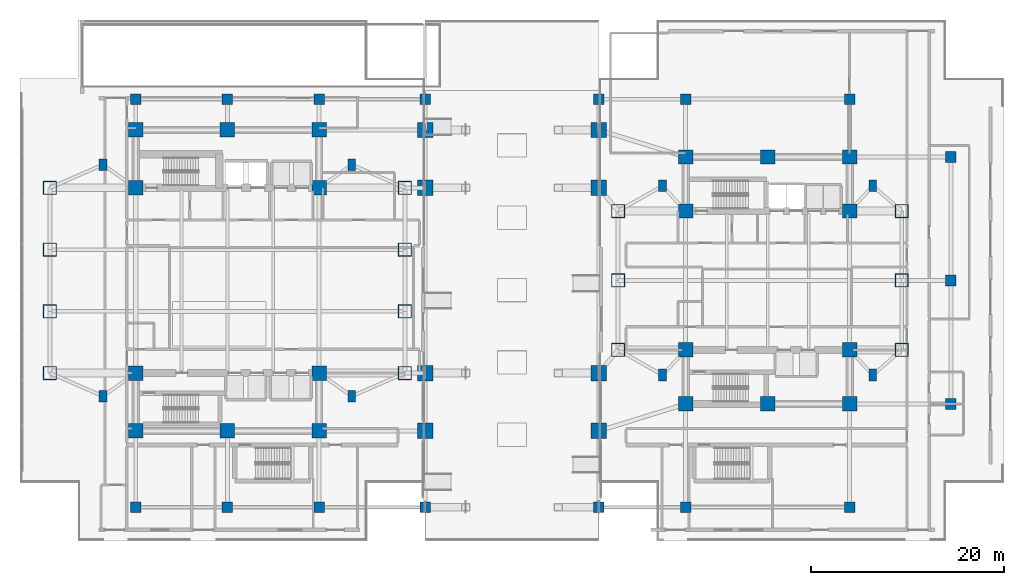
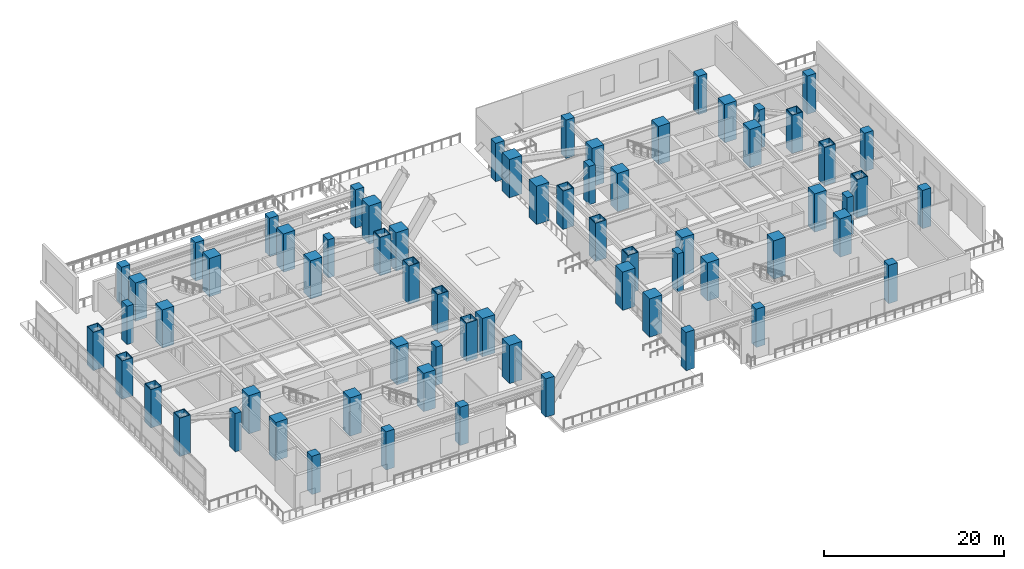
# One storey, part 1 of 27: 67 columns.
"""IFC4 building model written with IfcOpenShell, lengths in metres."""

import ifcopenshell
import ifcopenshell.guid

model = None  # the IFC model being written
_history = None  # IfcOwnerHistory: only IFC2X3 demands one
_inside = {}  # id of a spatial element -> (the spatial element, [elements in it])
_under = {}  # id of a project, library or spatial element -> (it, [spatial elements below it])
_declared = {}  # id of a project -> (the project, [libraries it declares])
_typed = {}  # id of a type object -> (the type object, [elements of that type])
_made_of = {}  # id of a material, layer set ... -> (it, [elements and type objects made of it])


def new_model(schema):
    """Start an empty IFC model of exactly this schema.

    Asked for "IFC4X3", IfcOpenShell would pick the latest addendum, in which some entities
    have other attributes; the version numbers below select the first issue.
    IFC2X3 requires an IfcOwnerHistory on every rooted entity: one is made here for all.
    """
    global model, _history
    if schema == "IFC4X3":
        model = ifcopenshell.file(schema_version=(4, 3, 0, 0))
    else:
        model = ifcopenshell.file(schema=schema)
    _inside.clear()
    _under.clear()
    _declared.clear()
    _typed.clear()
    _made_of.clear()
    _history = None
    if model.schema == "IFC2X3":
        org = make("IfcOrganization", Name="unknown")
        user = make(
            "IfcPersonAndOrganization",
            ThePerson=make("IfcPerson", FamilyName="unknown"),
            TheOrganization=org,
        )
        app = make(
            "IfcApplication",
            ApplicationDeveloper=org,
            Version="unknown",
            ApplicationFullName="unknown",
            ApplicationIdentifier="unknown",
        )
        _history = make(
            "IfcOwnerHistory",
            OwningUser=user,
            OwningApplication=app,
            ChangeAction="ADDED",
            CreationDate=0,
        )
    return model


def make(cls, **values):
    """One entity of the class cls with the attributes given. An attribute that is None is left unset."""
    return model.create_entity(
        cls, **{name: value for name, value in values.items() if value is not None}
    )


def rooted(cls, **values):
    """An entity with a GlobalId (a new one), such as an element, a storey or a relation."""
    return make(cls, GlobalId=ifcopenshell.guid.new(), OwnerHistory=_history, **values)


def si_unit(unit_type, name, prefix=None):
    """IfcSIUnit, for example si_unit("LENGTHUNIT", "METRE", prefix="MILLI")."""
    return make("IfcSIUnit", UnitType=unit_type, Prefix=prefix, Name=name)


def assignment(units):
    """IfcUnitAssignment: the units of a project."""
    return None if units is None else make("IfcUnitAssignment", Units=units)


def point(xyz):
    """IfcCartesianPoint."""
    return None if xyz is None else make("IfcCartesianPoint", Coordinates=xyz)


def direction(xyz):
    """IfcDirection."""
    return None if xyz is None else make("IfcDirection", DirectionRatios=xyz)


def frame(location, z_axis=None, x_axis=None):
    """IfcAxis2Placement3D, a coordinate frame: its origin and axes. An axis left out is left unset."""
    return make(
        "IfcAxis2Placement3D",
        Location=point(location),
        Axis=direction(z_axis),
        RefDirection=direction(x_axis),
    )


def frame_2d(location, x_axis=None):
    """IfcAxis2Placement2D, a coordinate frame in the plane: its origin and x axis."""
    return make(
        "IfcAxis2Placement2D", Location=point(location), RefDirection=direction(x_axis)
    )


def origin():
    """The frame at (0, 0, 0) with its axes left unset."""
    return frame((0.0, 0.0, 0.0))


def origin_2d():
    """The frame at (0, 0) in the plane with its x axis left unset."""
    return frame_2d((0.0, 0.0))


def place(relative_to, where):
    """IfcLocalPlacement: puts the frame where relative to a parent placement (None: the world)."""
    return make(
        "IfcLocalPlacement", PlacementRelTo=relative_to, RelativePlacement=where
    )


def context(
    kind, dimensions, precision=None, world=None, true_north=None, identifier=None
):
    """IfcGeometricRepresentationContext, for example the 3D "Model" context."""
    return make(
        "IfcGeometricRepresentationContext",
        ContextIdentifier=identifier,
        ContextType=kind,
        CoordinateSpaceDimension=dimensions,
        Precision=precision,
        WorldCoordinateSystem=world,
        TrueNorth=true_north,
    )


def subcontext(parent, identifier, kind, view, scale=None):
    """IfcGeometricRepresentationSubContext, for example "Body" below "Model"."""
    return make(
        "IfcGeometricRepresentationSubContext",
        ContextIdentifier=identifier,
        ContextType=kind,
        ParentContext=parent,
        TargetScale=scale,
        TargetView=view,
    )


def project(units=None, contexts=None):
    """IfcProject with its units and contexts."""
    return rooted(
        "IfcProject",
        Name="project",
        RepresentationContexts=contexts,
        UnitsInContext=assignment(units),
    )


def spatial(cls, under=None, at=None, **own):
    """A site, building, storey or space (cls), placed at a placement, below another one or the project."""
    s = rooted(cls, ObjectPlacement=at, **own)
    if under is not None:
        _under.setdefault(under.id(), (under, []))[1].append(s)
    return s


def profile(cls, at=None, kind="AREA", **sizes):
    """A parametric profile (cls). Its sizes go by their IFC names, for example OverallWidth=200.0."""
    return make(cls, ProfileType=kind, Position=at, **sizes)


def rectangle(**sizes):
    """IfcRectangleProfileDef."""
    return profile("IfcRectangleProfileDef", **sizes)


def hollow_rectangle(**sizes):
    """IfcRectangleHollowProfileDef."""
    return profile("IfcRectangleHollowProfileDef", **sizes)


def extrude(swept, where, along, depth):
    """IfcExtrudedAreaSolid: the profile swept, set in the frame where, extruded along a direction by depth."""
    return make(
        "IfcExtrudedAreaSolid",
        SweptArea=swept,
        Position=where,
        ExtrudedDirection=direction(along),
        Depth=depth,
    )


def shape(context_of_items, identifier, shape_type, items):
    """IfcShapeRepresentation: the items that make up one representation, for example the "Body"."""
    return make(
        "IfcShapeRepresentation",
        ContextOfItems=context_of_items,
        RepresentationIdentifier=identifier,
        RepresentationType=shape_type,
        Items=items,
    )


def material(Name=None, Category=None):
    """IfcMaterial."""
    return make("IfcMaterial", Name=Name, Category=Category)


def material_profile(
    of_material, cross_section, Name=None, Category=None, Priority=None
):
    """IfcMaterialProfile: a cross section and its material."""
    return make(
        "IfcMaterialProfile",
        Name=Name,
        Material=of_material,
        Profile=cross_section,
        Priority=Priority,
        Category=Category,
    )


def profile_set(profiles, Name=None, composite=None):
    """IfcMaterialProfileSet."""
    return make(
        "IfcMaterialProfileSet",
        Name=Name,
        MaterialProfiles=profiles,
        CompositeProfile=composite,
    )


def made_of(thing, what):
    """Note that an element or type object is made of a material, layer set ...; save() writes the relation."""
    if what is not None:
        _made_of.setdefault(what.id(), (what, []))[1].append(thing)
    return thing


def type_object(cls, material=None, **own):
    """A type object (cls), such as IfcWallType, which elements share."""
    return made_of(rooted(cls, **own), material)


def element(
    cls,
    number,
    at=None,
    inside=None,
    cuts=None,
    type_object=None,
    material=None,
    context=None,
    identifier="Body",
    shape_type=None,
    held_by="IfcProductDefinitionShape",
    body=None,
    shapes=None,
    **own,
):
    """One element of the class cls, such as IfcWall. Its Tag is "e" and its number.

    at: its placement. inside: the storey or other place that contains it. cuts: it is an
    opening in that element (IfcRelVoidsElement). A single representation is given by context,
    identifier, shape_type and body (its items); several are given by shapes. held_by: the class
    of the entity that holds the representations. save() writes the other relations.
    """
    e = rooted(cls, Tag="e%d" % number, ObjectPlacement=at, **own)
    if body is not None:
        shapes = [shape(context, identifier, shape_type, body)]
    if shapes is not None:
        e.Representation = make(held_by, Representations=shapes)
    if inside is not None:
        _inside.setdefault(inside.id(), (inside, []))[1].append(e)
    if cuts is not None:
        rooted(
            "IfcRelVoidsElement", RelatingBuildingElement=cuts, RelatedOpeningElement=e
        )
    if type_object is not None:
        _typed.setdefault(type_object.id(), (type_object, []))[1].append(e)
    return made_of(e, material)


def aggregate(whole, parts):
    """IfcRelAggregates: a whole, such as a stair, and the parts it consists of."""
    return rooted("IfcRelAggregates", RelatingObject=whole, RelatedObjects=parts)


def save(model, path):
    """Write the relations noted so far, then the file.

    IfcRelAggregates (storeys below a building ...), IfcRelContainedInSpatialStructure (elements
    in a storey), IfcRelDefinesByType, IfcRelAssociatesMaterial and IfcRelDeclares: one each for
    every whole, place, type object, material and project.
    """
    for whole, parts in _under.values():
        aggregate(whole, parts)
    for where, things in _inside.values():
        rooted(
            "IfcRelContainedInSpatialStructure",
            RelatedElements=things,
            RelatingStructure=where,
        )
    for kind, things in _typed.values():
        rooted("IfcRelDefinesByType", RelatedObjects=things, RelatingType=kind)
    for what, things in _made_of.values():
        rooted("IfcRelAssociatesMaterial", RelatedObjects=things, RelatingMaterial=what)
    for by, libraries in _declared.values():
        rooted("IfcRelDeclares", RelatingContext=by, RelatedDefinitions=libraries)
    model.write(path)


model = new_model("IFC4")

# Units and contexts
model_context = context("Model", 3, precision=1e-05, world=origin(), true_north=direction((0.0, 1.0)))
body_context = subcontext(model_context, "Body", "Model", "MODEL_VIEW")
ifc_project = project(units=[si_unit("LENGTHUNIT", "METRE"), si_unit("AREAUNIT", "SQUARE_METRE"), si_unit("VOLUMEUNIT", "CUBIC_METRE"), si_unit("PLANEANGLEUNIT", "RADIAN"), si_unit("MASSUNIT", "GRAM", prefix="KILO")], contexts=[model_context])

# Site, building, storey
site_placement = place(None, origin())
site = spatial("IfcSite", under=ifc_project, at=site_placement, CompositionType="ELEMENT")
building_placement = place(site_placement, origin())
building = spatial("IfcBuilding", under=site, at=building_placement, Name="Mirazonda Arch Towers", CompositionType="ELEMENT")
storey_placement = place(building_placement, origin())
storey = spatial("IfcBuildingStorey", under=building, at=storey_placement, Name="L00", CompositionType="ELEMENT", Elevation=0.0)

# Columns
ifc_material_1 = material(Name="Concrete C50/60", Category="concrete")
ifc_material_profile_1 = material_profile(ifc_material_1, rectangle(XDim=1.10009765625, YDim=1.10009765625, at=origin_2d()), Name="RC1100x1100")
ifc_profile_set_1 = profile_set([ifc_material_profile_1], Name="Concrete C50/60")
column_type_1 = type_object("IfcColumnType", Name="COL-INT-RC1100x1100", PredefinedType="COLUMN", material=ifc_profile_set_1)
for number, where, z_axis, x_axis, name in (
    (1, (11.0, 4.5, 0.0), (0.0, 0.0, 1.0), (1.0, 0.0, 0.0), "L00 Podium Column 01"),
    (2, (20.5, 4.5, 0.0), (0.0, 0.0, 1.0), (1.0, 0.0, 0.0), "L00 Podium Column 02"),
    (3, (30.0, 4.5, 0.0), (0.0, 0.0, 1.0), (1.0, 0.0, 0.0), "L00 Podium Column 03"),
    (4, (41.0, 4.5, 0.0), (0.0, 0.0, 1.0), (1.0, 0.0, 0.0), "L00 Podium Column 04"),
    (5, (59.0, 4.5, 0.0), (0.0, 0.0, 1.0), (1.0, 0.0, 0.0), "L00 Podium Column 05"),
    (6, (68.0, 4.5, 0.0), (0.0, 0.0, 1.0), (1.0, 0.0, 0.0), "L00 Podium Column 06"),
    (7, (85.0, 4.5, 0.0), (0.0, 0.0, 1.0), (1.0, 0.0, 0.0), "L00 Podium Column 07"),
    (8, (11.0, 46.800048828125, 0.0), (0.0, 0.0, 1.0), (1.0, 0.0, 0.0), "L00 Podium Column 08"),
    (9, (20.5, 46.800048828125, 0.0), (0.0, 0.0, 1.0), (1.0, 0.0, 0.0), "L00 Podium Column 09"),
    (10, (30.0, 46.800048828125, 0.0), (0.0, 0.0, 1.0), (1.0, 0.0, 0.0), "L00 Podium Column 10"),
    (11, (41.0, 46.800048828125, 0.0), (0.0, 0.0, 1.0), (1.0, 0.0, 0.0), "L00 Podium Column 11"),
    (12, (59.0, 46.800048828125, 0.0), (0.0, 0.0, 1.0), (1.0, 0.0, 0.0), "L00 Podium Column 12"),
    (13, (68.0, 46.800048828125, 0.0), (0.0, 0.0, 1.0), (1.0, 0.0, 0.0), "L00 Podium Column 13"),
    (14, (85.0, 46.800048828125, 0.0), (0.0, 0.0, 1.0), (1.0, 0.0, 0.0), "L00 Podium Column 14"),
    (15, (95.5, 15.199951171875, 0.0), (0.0, 0.0, 1.0), (1.0, 0.0, 0.0), "L00 Podium Column 15"),
    (16, (95.5, 28.0, 0.0), (0.0, 0.0, 1.0), (1.0, 0.0, 0.0), "L00 Podium Column 16"),
    (17, (95.5, 40.800048828125, 0.0), (0.0, 0.0, 1.0), (1.0, 0.0, 0.0), "L00 Podium Column 17"),
):
    element("IfcColumn", number, at=place(storey_placement, frame(where, z_axis=z_axis, x_axis=x_axis)), inside=storey, type_object=column_type_1, Name=name, PredefinedType="COLUMN", context=body_context, shape_type="SweptSolid", body=[
        extrude(rectangle(XDim=1.10009765625, YDim=1.10009765625, at=origin_2d()), origin(), (0.0, 0.0, 1.0), 5.199951171875),
    ])
ifc_material_2 = material(Name="Concrete C60/75", Category="concrete")
ifc_material_profile_2 = material_profile(ifc_material_2, rectangle(XDim=1.5, YDim=1.5, at=origin_2d()), Name="RC1500x1500")
ifc_profile_set_2 = profile_set([ifc_material_profile_2], Name="Concrete C60/75")
column_type_2 = type_object("IfcColumnType", Name="COL-INT-RC1500x1500", PredefinedType="COLUMN", material=ifc_profile_set_2)
for number, where, z_axis, x_axis, name in (
    (18, (11.0, 12.39990234375, 0.0), (0.0, 0.0, 1.0), (1.0, 0.0, 0.0), "L00 T1 Core Column 01"),
    (19, (20.5, 12.39990234375, 0.0), (0.0, 0.0, 1.0), (1.0, 0.0, 0.0), "L00 T1 Core Column 02"),
    (20, (30.0, 12.39990234375, 0.0), (0.0, 0.0, 1.0), (1.0, 0.0, 0.0), "L00 T1 Core Column 03"),
    (21, (11.0, 18.39990234375, 0.0), (0.0, 0.0, 1.0), (1.0, 0.0, 0.0), "L00 T1 Core Column 04"),
    (22, (30.0, 18.39990234375, 0.0), (0.0, 0.0, 1.0), (1.0, 0.0, 0.0), "L00 T1 Core Column 05"),
    (23, (11.0, 37.60009765625, 0.0), (0.0, 0.0, 1.0), (1.0, 0.0, 0.0), "L00 T1 Core Column 06"),
    (24, (30.0, 37.60009765625, 0.0), (0.0, 0.0, 1.0), (1.0, 0.0, 0.0), "L00 T1 Core Column 07"),
    (25, (11.0, 43.60009765625, 0.0), (0.0, 0.0, 1.0), (1.0, 0.0, 0.0), "L00 T1 Core Column 08"),
    (26, (20.5, 43.60009765625, 0.0), (0.0, 0.0, 1.0), (1.0, 0.0, 0.0), "L00 T1 Core Column 09"),
    (27, (30.0, 43.60009765625, 0.0), (0.0, 0.0, 1.0), (1.0, 0.0, 0.0), "L00 T1 Core Column 10"),
    (28, (68.0, 15.199951171875, 0.0), (0.0, 0.0, 1.0), (1.0, 0.0, 0.0), "L00 T2 Core Column 01"),
    (29, (76.5, 15.199951171875, 0.0), (0.0, 0.0, 1.0), (1.0, 0.0, 0.0), "L00 T2 Core Column 02"),
    (30, (85.0, 15.199951171875, 0.0), (0.0, 0.0, 1.0), (1.0, 0.0, 0.0), "L00 T2 Core Column 03"),
    (31, (68.0, 20.800048828125, 0.0), (0.0, 0.0, 1.0), (1.0, 0.0, 0.0), "L00 T2 Core Column 04"),
    (32, (85.0, 20.800048828125, 0.0), (0.0, 0.0, 1.0), (1.0, 0.0, 0.0), "L00 T2 Core Column 05"),
    (33, (68.0, 35.199951171875, 0.0), (0.0, 0.0, 1.0), (1.0, 0.0, 0.0), "L00 T2 Core Column 06"),
    (34, (85.0, 35.199951171875, 0.0), (0.0, 0.0, 1.0), (1.0, 0.0, 0.0), "L00 T2 Core Column 07"),
    (35, (68.0, 40.800048828125, 0.0), (0.0, 0.0, 1.0), (1.0, 0.0, 0.0), "L00 T2 Core Column 08"),
    (36, (76.5, 40.800048828125, 0.0), (0.0, 0.0, 1.0), (1.0, 0.0, 0.0), "L00 T2 Core Column 09"),
    (37, (85.0, 40.800048828125, 0.0), (0.0, 0.0, 1.0), (1.0, 0.0, 0.0), "L00 T2 Core Column 10"),
):
    element("IfcColumn", number, at=place(storey_placement, frame(where, z_axis=z_axis, x_axis=x_axis)), inside=storey, type_object=column_type_2, Name=name, PredefinedType="COLUMN", context=body_context, shape_type="SweptSolid", body=[
        extrude(rectangle(XDim=1.5, YDim=1.5, at=origin_2d()), origin(), (0.0, 0.0, 1.0), 5.199951171875),
    ])
ifc_material_profile_3 = material_profile(ifc_material_2, rectangle(XDim=1.60009765625, YDim=1.60009765625, at=origin_2d()), Name="RC1600x1600")
ifc_profile_set_3 = profile_set([ifc_material_profile_3], Name="Concrete C60/75")
column_type_3 = type_object("IfcColumnType", Name="COL-INT-RC1600x1600", PredefinedType="COLUMN", material=ifc_profile_set_3)
for number, where, z_axis, x_axis, name in (
    (38, (41.0, 12.39990234375, 0.0), (0.0, 0.0, 1.0), (1.0, 0.0, 0.0), "L00 Arch Springing Pier 01"),
    (39, (41.0, 18.39990234375, 0.0), (0.0, 0.0, 1.0), (1.0, 0.0, 0.0), "L00 Arch Springing Pier 02"),
    (40, (41.0, 37.60009765625, 0.0), (0.0, 0.0, 1.0), (1.0, 0.0, 0.0), "L00 Arch Springing Pier 03"),
    (41, (41.0, 43.60009765625, 0.0), (0.0, 0.0, 1.0), (1.0, 0.0, 0.0), "L00 Arch Springing Pier 04"),
    (42, (59.0, 12.39990234375, 0.0), (0.0, 0.0, 1.0), (1.0, 0.0, 0.0), "L00 Arch Springing Pier 05"),
    (43, (59.0, 18.39990234375, 0.0), (0.0, 0.0, 1.0), (1.0, 0.0, 0.0), "L00 Arch Springing Pier 06"),
    (44, (59.0, 37.60009765625, 0.0), (0.0, 0.0, 1.0), (1.0, 0.0, 0.0), "L00 Arch Springing Pier 07"),
    (45, (59.0, 43.60009765625, 0.0), (0.0, 0.0, 1.0), (1.0, 0.0, 0.0), "L00 Arch Springing Pier 08"),
):
    element("IfcColumn", number, at=place(storey_placement, frame(where, z_axis=z_axis, x_axis=x_axis)), inside=storey, type_object=column_type_3, Name=name, PredefinedType="COLUMN", context=body_context, shape_type="SweptSolid", body=[
        extrude(rectangle(XDim=1.60009765625, YDim=1.60009765625, at=origin_2d()), origin(), (0.0, 0.0, 1.0), 5.199951171875),
    ])
ifc_material_3 = material(Name="Steel ASTM A572 Grade 50", Category="steel")
ifc_material_profile_4 = material_profile(ifc_material_3, hollow_rectangle(XDim=1.39990234375, YDim=1.39990234375, WallThickness=0.080078125, at=origin_2d()), Name="BOX1400x1400x80")
ifc_profile_set_4 = profile_set([ifc_material_profile_4], Name="Steel ASTM A572 Grade 50")
column_type_4 = type_object("IfcColumnType", Name="MCOL-EXT-BOX1400x1400x80", PredefinedType="COLUMN", material=ifc_profile_set_4)
for number, where, z_axis, x_axis, name in (
    (46, (2.10009765625, 18.39990234375, 0.0), (0.0, 0.0, 1.0), (1.0, 0.0, 0.0), "L00 T1 Composite Mega-Column 01"),
    (47, (2.10009765625, 24.800048828125, 0.0), (0.0, 0.0, 1.0), (1.0, 0.0, 0.0), "L00 T1 Composite Mega-Column 02"),
    (48, (2.10009765625, 31.199951171875, 0.0), (0.0, 0.0, 1.0), (1.0, 0.0, 0.0), "L00 T1 Composite Mega-Column 03"),
    (49, (2.10009765625, 37.60009765625, 0.0), (0.0, 0.0, 1.0), (1.0, 0.0, 0.0), "L00 T1 Composite Mega-Column 04"),
    (50, (38.89990234375, 18.39990234375, 0.0), (0.0, 0.0, 1.0), (1.0, 0.0, 0.0), "L00 T1 Composite Mega-Column 05"),
    (51, (38.89990234375, 24.800048828125, 0.0), (0.0, 0.0, 1.0), (1.0, 0.0, 0.0), "L00 T1 Composite Mega-Column 06"),
    (52, (38.89990234375, 31.199951171875, 0.0), (0.0, 0.0, 1.0), (1.0, 0.0, 0.0), "L00 T1 Composite Mega-Column 07"),
    (53, (38.89990234375, 37.60009765625, 0.0), (0.0, 0.0, 1.0), (1.0, 0.0, 0.0), "L00 T1 Composite Mega-Column 08"),
    (54, (61.0, 20.800048828125, 0.0), (0.0, 0.0, 1.0), (1.0, 0.0, 0.0), "L00 T2 Composite Mega-Column 01"),
    (55, (61.0, 28.0, 0.0), (0.0, 0.0, 1.0), (1.0, 0.0, 0.0), "L00 T2 Composite Mega-Column 02"),
    (56, (61.0, 35.199951171875, 0.0), (0.0, 0.0, 1.0), (1.0, 0.0, 0.0), "L00 T2 Composite Mega-Column 03"),
    (57, (90.39990234375, 20.800048828125, 0.0), (0.0, 0.0, 1.0), (1.0, 0.0, 0.0), "L00 T2 Composite Mega-Column 04"),
    (58, (90.39990234375, 28.0, 0.0), (0.0, 0.0, 1.0), (1.0, 0.0, 0.0), "L00 T2 Composite Mega-Column 05"),
    (59, (90.39990234375, 35.199951171875, 0.0), (0.0, 0.0, 1.0), (1.0, 0.0, 0.0), "L00 T2 Composite Mega-Column 06"),
):
    element("IfcColumn", number, at=place(storey_placement, frame(where, z_axis=z_axis, x_axis=x_axis)), inside=storey, type_object=column_type_4, Name=name, PredefinedType="COLUMN", context=body_context, shape_type="SweptSolid", body=[
        extrude(hollow_rectangle(XDim=1.39990234375, YDim=1.39990234375, WallThickness=0.080078125, at=origin_2d()), origin(), (0.0, 0.0, 1.0), 5.199951171875),
    ])
ifc_material_profile_5 = material_profile(ifc_material_2, rectangle(XDim=0.800048828125, YDim=1.199951171875, at=origin_2d()), Name="RC1200x800")
ifc_profile_set_5 = profile_set([ifc_material_profile_5], Name="Concrete C60/75")
column_type_5 = type_object("IfcColumnType", Name="PIL-EXT-RC1200x800", PredefinedType="PILASTER", material=ifc_profile_set_5)
for number, where, z_axis, x_axis, name in (
    (60, (7.60009765625, 16.0, 0.0), (0.0, 0.0, 1.0), (1.0, 0.0, 0.0), "L00 T1 Corner Pilaster 01"),
    (61, (33.39990234375, 16.0, 0.0), (0.0, 0.0, 1.0), (1.0, 0.0, 0.0), "L00 T1 Corner Pilaster 02"),
    (62, (7.60009765625, 40.0, 0.0), (0.0, 0.0, 1.0), (1.0, 0.0, 0.0), "L00 T1 Corner Pilaster 03"),
    (63, (33.39990234375, 40.0, 0.0), (0.0, 0.0, 1.0), (1.0, 0.0, 0.0), "L00 T1 Corner Pilaster 04"),
    (64, (65.60009765625, 18.199951171875, 0.0), (0.0, 0.0, 1.0), (1.0, 0.0, 0.0), "L00 T2 Corner Pilaster 01"),
    (65, (87.39990234375, 18.199951171875, 0.0), (0.0, 0.0, 1.0), (1.0, 0.0, 0.0), "L00 T2 Corner Pilaster 02"),
    (66, (65.60009765625, 37.800048828125, 0.0), (0.0, 0.0, 1.0), (1.0, 0.0, 0.0), "L00 T2 Corner Pilaster 03"),
    (67, (87.39990234375, 37.800048828125, 0.0), (0.0, 0.0, 1.0), (1.0, 0.0, 0.0), "L00 T2 Corner Pilaster 04"),
):
    element("IfcColumn", number, at=place(storey_placement, frame(where, z_axis=z_axis, x_axis=x_axis)), inside=storey, type_object=column_type_5, Name=name, PredefinedType="PILASTER", context=body_context, shape_type="SweptSolid", body=[
        extrude(rectangle(XDim=0.800048828125, YDim=1.199951171875, at=origin_2d()), origin(), (0.0, 0.0, 1.0), 5.199951171875),
    ])

save(model, "model.ifc")
